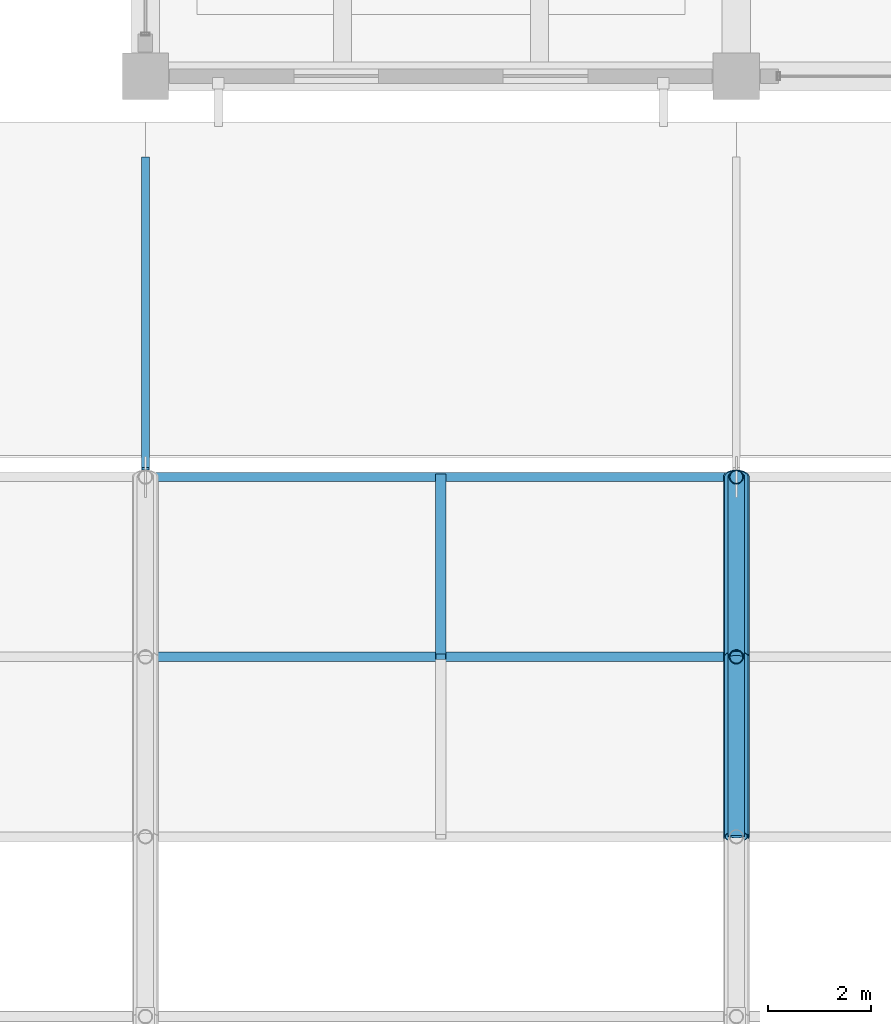
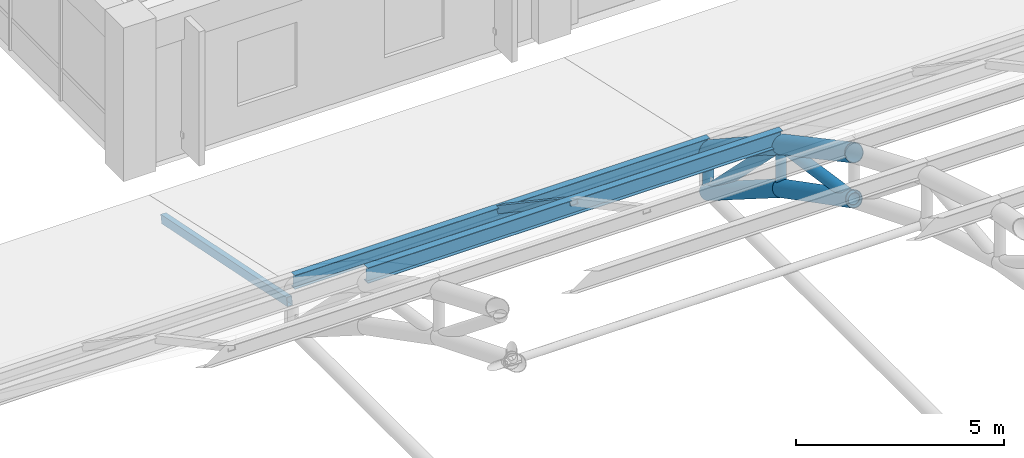
# One storey, part 82 of 154: 12 members.
"""IFC4 building model written with IfcOpenShell, lengths in metres."""

from ifc_helpers import new_model, si_unit, direction, frame, origin, origin_2d, place, context, subcontext, project, spatial, hollow_rectangle, hollow_circle, i_section, extrude, material, material_profile, profile_set, type_object, element, save


model = new_model("IFC4")

# Units and contexts
model_context = context("Model", 3, precision=1e-05, world=origin(), true_north=direction((0.0, 1.0)))
body_context = subcontext(model_context, "Body", "Model", "MODEL_VIEW")
ifc_project = project(units=[si_unit("LENGTHUNIT", "METRE"), si_unit("AREAUNIT", "SQUARE_METRE"), si_unit("VOLUMEUNIT", "CUBIC_METRE"), si_unit("PLANEANGLEUNIT", "RADIAN"), si_unit("MASSUNIT", "GRAM", prefix="KILO")], contexts=[model_context])

# Site, building, storey
site_placement = place(None, origin())
site = spatial("IfcSite", under=ifc_project, at=site_placement, CompositionType="ELEMENT")
building_placement = place(site_placement, origin())
building = spatial("IfcBuilding", under=site, at=building_placement, Name="Ologun Quay Terminus", CompositionType="ELEMENT")
storey_placement = place(building_placement, frame((0.0, 0.0, 13.800048828125)))
storey = spatial("IfcBuildingStorey", under=building, at=storey_placement, Name="L03", CompositionType="ELEMENT", Elevation=13.800048828125)

# Members
ifc_material_1 = material(Name="Steel S355", Category="steel")
ifc_material_profile_1 = material_profile(ifc_material_1, hollow_circle(Radius=0.136474609375, WallThickness=0.010009765625, at=origin_2d()), Name="CHS 273x10")
ifc_profile_set_1 = profile_set([ifc_material_profile_1], Name="Steel S355")
member_type_1 = type_object("IfcMemberType", Name="Arch Truss Vertical Post CHS273", PredefinedType="STRUT", material=ifc_profile_set_1)
member_1_placement = place(storey_placement, frame((126.5, 74.5, 2.212158203125), z_axis=(0.0, 0.0, 1.0), x_axis=(1.0, 0.0, 0.0)))
element("IfcMember", 1, at=member_1_placement, inside=storey, type_object=member_type_1, Name="AW2 Arch Web Post 12-N11", PredefinedType="STRUT", context=body_context, shape_type="SweptSolid", body=[
    extrude(hollow_circle(Radius=0.136474609375, WallThickness=0.010009765625, at=origin_2d()), origin(), (0.0, 0.0, 1.0), 1.28564453125),
])
member_2_placement = place(storey_placement, frame((126.5, 78.0, 0.0), z_axis=(0.0, 0.0, 1.0), x_axis=(1.0, 0.0, 0.0)))
element("IfcMember", 2, at=member_2_placement, inside=storey, type_object=member_type_1, Name="AW2 Arch Web Post 12-N12", PredefinedType="STRUT", context=body_context, shape_type="SweptSolid", body=[
    extrude(hollow_circle(Radius=0.136474609375, WallThickness=0.010009765625, at=origin_2d()), origin(), (0.0, 0.0, 1.0), 1.199951171875),
])
ifc_material_2 = material(Name="Steel S355", Category="steel")
ifc_material_profile_2 = material_profile(ifc_material_2, hollow_circle(Radius=0.161865234375, WallThickness=0.010009765625, at=origin_2d()), Name="CHS 323.9x10")
ifc_profile_set_2 = profile_set([ifc_material_profile_2], Name="Steel S355")
member_type_2 = type_object("IfcMemberType", Name="Arch Truss Web Diagonal CHS323", PredefinedType="BRACE", material=ifc_profile_set_2)
member_3_placement = place(storey_placement, frame((126.5, 71.0, 4.022216796875), z_axis=(0.0, 0.988960627525, -0.148178531524), x_axis=(-1.0, 0.0, 0.0)))
element("IfcMember", 3, at=member_3_placement, inside=storey, type_object=member_type_2, Name="AW1 Arch Web Diagonal 12-P11", PredefinedType="BRACE", context=body_context, shape_type="SweptSolid", body=[
    extrude(hollow_circle(Radius=0.161865234375, WallThickness=0.010009765625, at=origin_2d()), origin(), (0.0, 0.0, 1.0), 3.5390625),
])
member_4_placement = place(storey_placement, frame((126.5, 74.5, 3.497802734375), z_axis=(0.0, 0.707328773357, -0.706884719301), x_axis=(-1.0, 0.0, 0.0)))
element("IfcMember", 4, at=member_4_placement, inside=storey, type_object=member_type_2, Name="AW1 Arch Web Diagonal 12-P12", PredefinedType="BRACE", context=body_context, shape_type="SweptSolid", body=[
    extrude(hollow_circle(Radius=0.161865234375, WallThickness=0.010009765625, at=origin_2d()), origin(), (0.0, 0.0, 1.0), 4.9482421875),
])
ifc_material_3 = material(Name="Steel S355", Category="steel")
ifc_material_profile_3 = material_profile(ifc_material_3, hollow_circle(Radius=0.228515625, WallThickness=0.01611328125, at=origin_2d()), Name="CHS 457x16")
ifc_profile_set_3 = profile_set([ifc_material_profile_3], Name="Steel S355")
member_type_3 = type_object("IfcMemberType", Name="Parabolic Arch Bottom Chord CHS457", PredefinedType="CHORD", material=ifc_profile_set_3)
member_5_placement = place(storey_placement, frame((126.5, 71.0, 4.022216796875), z_axis=(0.0, 0.888247284083, -0.459365608551), x_axis=(-1.0, 0.0, 0.0)))
element("IfcMember", 5, at=member_5_placement, inside=storey, type_object=member_type_3, Name="AC2 Arch Bottom Chord 12-P11", PredefinedType="CHORD", context=body_context, shape_type="SweptSolid", body=[
    extrude(hollow_circle(Radius=0.228515625, WallThickness=0.01611328125, at=origin_2d()), origin(), (0.0, 0.0, 1.0), 3.9404296875),
])
member_6_placement = place(storey_placement, frame((126.5, 74.5, 2.212158203125), z_axis=(0.0, 0.845310912611, -0.534274705578), x_axis=(-1.0, 0.0, 0.0)))
element("IfcMember", 6, at=member_6_placement, inside=storey, type_object=member_type_3, Name="AC2 Arch Bottom Chord 12-P12", PredefinedType="CHORD", context=body_context, shape_type="SweptSolid", body=[
    extrude(hollow_circle(Radius=0.228515625, WallThickness=0.01611328125, at=origin_2d()), origin(), (0.0, 0.0, 1.0), 4.140380859375),
])
ifc_material_4 = material(Name="Steel S355", Category="steel")
ifc_material_profile_4 = material_profile(ifc_material_4, hollow_circle(Radius=0.25390625, WallThickness=0.01611328125, at=origin_2d()), Name="CHS 508x16")
ifc_profile_set_4 = profile_set([ifc_material_profile_4], Name="Steel S355")
member_type_4 = type_object("IfcMemberType", Name="Parabolic Arch Top Chord CHS508", PredefinedType="CHORD", material=ifc_profile_set_4)
member_7_placement = place(storey_placement, frame((126.5, 71.0, 5.377685546875), z_axis=(0.0, 0.880967864924, -0.473176099324), x_axis=(-1.0, 0.0, 0.0)))
element("IfcMember", 7, at=member_7_placement, inside=storey, type_object=member_type_4, Name="Arch Top Chord 12-P11", PredefinedType="CHORD", context=body_context, shape_type="SweptSolid", body=[
    extrude(hollow_circle(Radius=0.25390625, WallThickness=0.01611328125, at=origin_2d()), origin(), (0.0, 0.0, 1.0), 3.972900390625),
])
member_8_placement = place(storey_placement, frame((126.5, 74.5, 3.497802734375), z_axis=(0.0, 0.835940905918, -0.548819461949), x_axis=(-1.0, 0.0, 0.0)))
element("IfcMember", 8, at=member_8_placement, inside=storey, type_object=member_type_4, Name="Arch Top Chord 12-P12", PredefinedType="CHORD", context=body_context, shape_type="SweptSolid", body=[
    extrude(hollow_circle(Radius=0.25390625, WallThickness=0.01611328125, at=origin_2d()), origin(), (0.0, 0.0, 1.0), 4.18701171875),
])
ifc_material_5 = material(Name="Steel S355", Category="steel")
ifc_material_profile_5 = material_profile(ifc_material_5, hollow_rectangle(XDim=0.199951171875, YDim=0.199951171875, WallThickness=0.008056640625, at=origin_2d()), Name="SHS 200x200x8")
ifc_profile_set_5 = profile_set([ifc_material_profile_5], Name="Steel S355")
member_type_5 = type_object("IfcMemberType", Name="Skylight Cross Transom Bar RHS150", PredefinedType="STRUT", material=ifc_profile_set_5)
member_9_placement = place(storey_placement, frame((120.75, 74.5, 3.851806640625), z_axis=(0.0, 0.830398014247, -0.55717065423), x_axis=(-1.0, 0.0, 0.0)))
element("IfcMember", 9, at=member_9_placement, inside=storey, type_object=member_type_5, Name="SK2 Eave Secondary Rafter B11-P12", PredefinedType="STRUT", context=body_context, shape_type="SweptSolid", body=[
    extrude(hollow_rectangle(XDim=0.199951171875, YDim=0.199951171875, WallThickness=0.008056640625, at=origin_2d()), origin(), (0.0, 0.0, 1.0), 4.21484375),
])
ifc_material_6 = material(Name="Steel S355", Category="steel")
ifc_material_profile_6 = material_profile(ifc_material_6, hollow_rectangle(XDim=0.14990234375, YDim=0.25, WallThickness=0.008056640625, at=origin_2d()), Name="RHS 250x150x8")
ifc_profile_set_6 = profile_set([ifc_material_profile_6], Name="Steel S355")
member_type_6 = type_object("IfcMemberType", Name="Skylight Longitudinal Glazing Bar RHS200", PredefinedType="PURLIN", material=ifc_profile_set_6)
member_10_placement = place(storey_placement, frame((115.0, 84.199951171875, -0.520263671875), z_axis=(0.0, -0.98005285553, 0.19873701308), x_axis=(1.0, 0.0, 0.0)))
element("IfcMember", 10, at=member_10_placement, inside=storey, type_object=member_type_6, Name="SK1 Inclined Roof Rafter L03-NGAL-11", PredefinedType="PURLIN", context=body_context, shape_type="SweptSolid", body=[
    extrude(hollow_rectangle(XDim=0.14990234375, YDim=0.25, WallThickness=0.008056640625, at=origin_2d()), origin(), (0.0, 0.0, 1.0), 6.16064453125),
])
ifc_material_7 = material(Name="Steel S355", Category="steel")
ifc_material_profile_7 = material_profile(ifc_material_7, i_section(OverallWidth=0.177978515625, OverallDepth=0.406494140625, WebThickness=0.0078125, FlangeThickness=0.0126953125, at=origin_2d()), Name="UKB 406x178x60")
ifc_profile_set_7 = profile_set([ifc_material_profile_7], Name="Steel S355")
member_type_7 = type_object("IfcMemberType", Name="Train Shed Eave & Ridge Purlin UKB406", PredefinedType="PURLIN", material=ifc_profile_set_7)
member_11_placement = place(storey_placement, frame((115.0, 78.0, 1.403076171875), z_axis=(1.0, 0.0, 0.0), x_axis=(0.0, 1.0, 0.0)))
element("IfcMember", 11, at=member_11_placement, inside=storey, type_object=member_type_7, Name="PR2 Roof Purlin B11-N12", PredefinedType="PURLIN", context=body_context, shape_type="SweptSolid", body=[
    extrude(i_section(OverallWidth=0.177978515625, OverallDepth=0.406494140625, WebThickness=0.0078125, FlangeThickness=0.0126953125, at=origin_2d()), origin(), (0.0, 0.0, 1.0), 11.5),
])
ifc_material_8 = material(Name="Steel S355", Category="steel")
ifc_material_profile_8 = material_profile(ifc_material_8, i_section(OverallWidth=0.1904296875, OverallDepth=0.45703125, WebThickness=0.009033203125, FlangeThickness=0.014404296875, at=origin_2d()), Name="UKB 457x191x74")
ifc_profile_set_8 = profile_set([ifc_material_profile_8], Name="Steel S355")
member_type_8 = type_object("IfcMemberType", Name="Train Shed Primary Roof Purlin UKB457", PredefinedType="PURLIN", material=ifc_profile_set_8)
member_12_placement = place(storey_placement, frame((115.0, 74.5, 3.726318359375), z_axis=(1.0, 0.0, 0.0), x_axis=(0.0, 1.0, 0.0)))
element("IfcMember", 12, at=member_12_placement, inside=storey, type_object=member_type_8, Name="PR1 Roof Purlin B11-N11", PredefinedType="PURLIN", context=body_context, shape_type="SweptSolid", body=[
    extrude(i_section(OverallWidth=0.1904296875, OverallDepth=0.45703125, WebThickness=0.009033203125, FlangeThickness=0.014404296875, at=origin_2d()), origin(), (0.0, 0.0, 1.0), 11.5),
])

save(model, "model.ifc")
